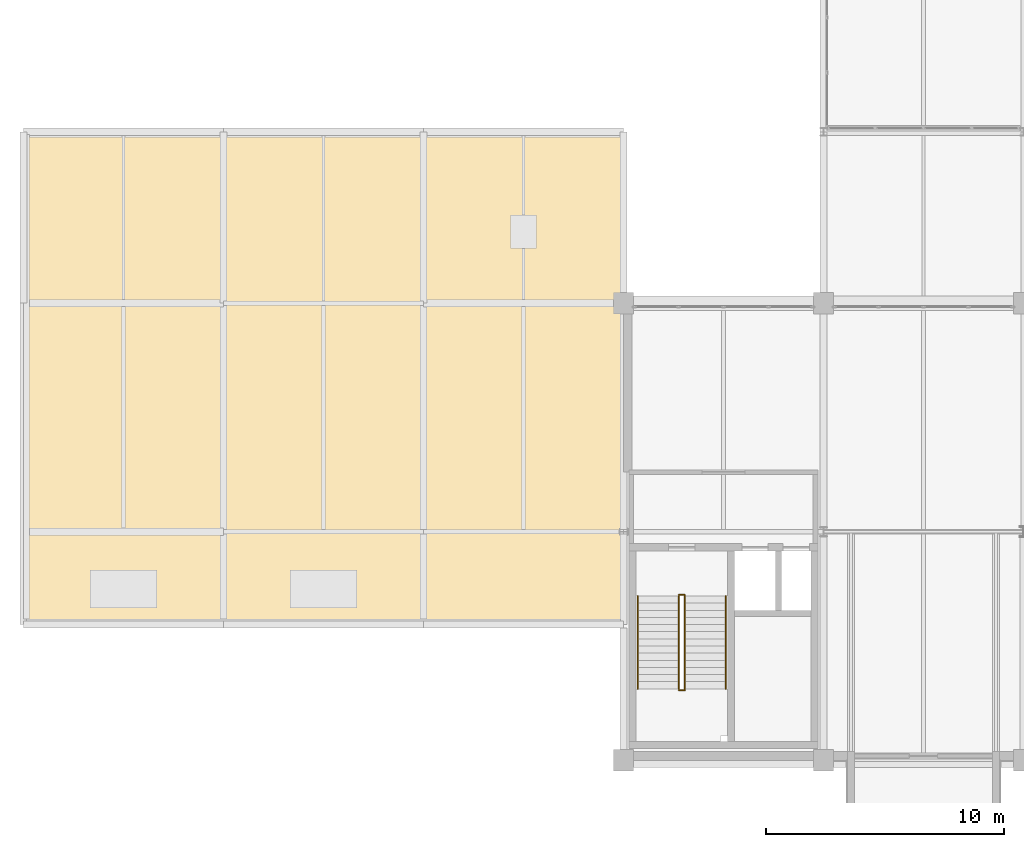
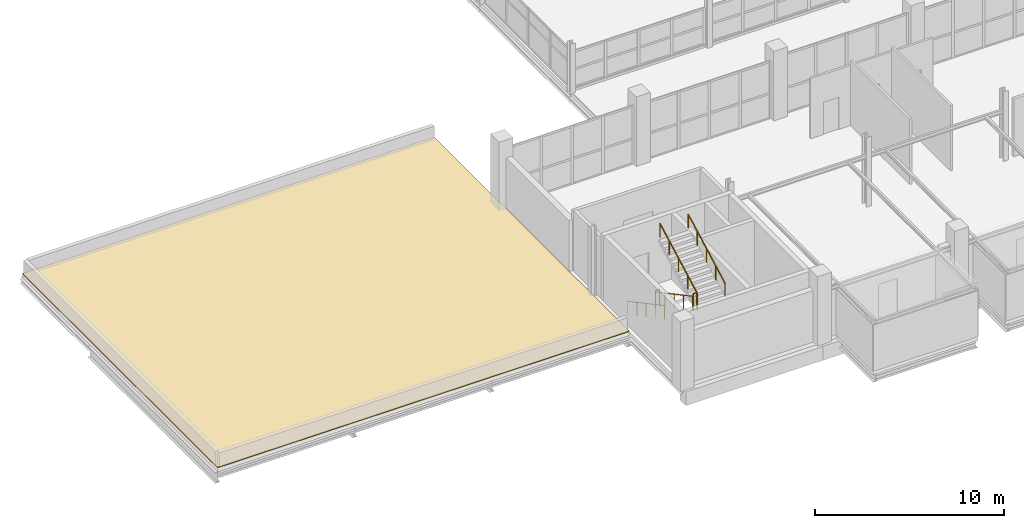
# One storey, part 98 of 103: 6 railings, 1 covering.
"""IFC4 building model written with IfcOpenShell, lengths in metres."""

from ifc_helpers import new_model, si_unit, direction, frame, origin, origin_2d, place, context, subcontext, project, spatial, polyline, circle, outline, extrude, material, layer, layer_set, type_object, element, save


model = new_model("IFC4")

# Units and contexts
model_context = context("Model", 3, precision=1e-05, world=origin(), true_north=direction((0.0, 1.0)))
body_context = subcontext(model_context, "Body", "Model", "MODEL_VIEW")
ifc_project = project(units=[si_unit("LENGTHUNIT", "METRE"), si_unit("AREAUNIT", "SQUARE_METRE"), si_unit("VOLUMEUNIT", "CUBIC_METRE"), si_unit("PLANEANGLEUNIT", "RADIAN"), si_unit("MASSUNIT", "GRAM", prefix="KILO")], contexts=[model_context])

# Site, building, storey
site_placement = place(None, origin())
site = spatial("IfcSite", under=ifc_project, at=site_placement, CompositionType="ELEMENT")
building_placement = place(site_placement, origin())
building = spatial("IfcBuilding", under=site, at=building_placement, Name="Veltarok Museum of Natural Sciences", CompositionType="ELEMENT")
storey_placement = place(building_placement, frame((0.0, 0.0, 21.89990234375)))
storey = spatial("IfcBuildingStorey", under=building, at=storey_placement, Name="L04", CompositionType="ELEMENT", Elevation=21.89990234375)

# Covering
ifc_material_1 = material(Name="EPDM waterproofing membrane")
ifc_layer = layer(ifc_material_1, 0.06005859375)
ifc_layer_set = layer_set([ifc_layer], Name="EPDM waterproofing membrane")
covering_type = type_object("IfcCoveringType", Name="EPDM Waterproofing and Acoustic Roof Membrane 60", PredefinedType="ROOFING", material=ifc_layer_set)
covering_placement = place(storey_placement, origin())
element("IfcCovering", 1, at=covering_placement, inside=storey, type_object=covering_type, Name="Roof Waterproofing RF-V4", PredefinedType="ROOFING", context=body_context, shape_type="SweptSolid", body=[
    extrude(outline(polyline([(6.39990234375, 5.699951171875), (6.39990234375, 26.39990234375), (31.60009765625, 26.39990234375), (31.60009765625, 5.699951171875), (6.39990234375, 5.699951171875)])), origin(), (0.0, 0.0, 1.0), 0.06005859375),
])

# Railings
ifc_material_2 = material(Name="Steel S355J2", Category="steel")
railing_type_1 = type_object("IfcRailingType", Name="Interior Atrium and Stairwell Guardrail 1100", PredefinedType="GUARDRAIL", material=ifc_material_2)
for number, where, name in (
    (2, (33.929931640625, 6.949951171875, 0.0), "Stairwell Floor Guard ST-01 L04"),
    (3, (33.929931640625, 2.93994140625, 2.25), "Landing Well Guard ST-01-L04-L1"),
):
    element("IfcRailing", number, at=place(storey_placement, frame(where)), inside=storey, type_object=railing_type_1, Name=name, PredefinedType="GUARDRAIL", context=body_context, shape_type="SweptSolid", body=[
        extrude(circle(Radius=0.02392578125, at=origin_2d()), frame((0.0, 0.0, 1.076171875), z_axis=(1.0, 0.0, 0.0), x_axis=(0.0, 1.0, 0.0)), (0.0, 0.0, 1.0), 0.239990234375),
        extrude(circle(Radius=0.02099609375, at=origin_2d()), origin(), (0.0, 0.0, 1.0), 1.052001953125),
        extrude(circle(Radius=0.02099609375, at=origin_2d()), frame((0.239990234375, 0.0, 0.0)), (0.0, 0.0, 1.0), 1.052001953125),
    ])
railing_type_2 = type_object("IfcRailingType", Name="Stair Flight Tubular Steel Handrail 900", PredefinedType="HANDRAIL", material=ifc_material_2)
for number, where, name in (
    (4, (32.199951171875, 6.89990234375, 0.160888671875), "Stair Handrail ST-01-L04-F1L"),
    (5, (33.919921875, 6.89990234375, 0.160888671875), "Stair Handrail ST-01-L04-F1R"),
):
    element("IfcRailing", number, at=place(storey_placement, frame(where)), inside=storey, type_object=railing_type_2, Name=name, PredefinedType="HANDRAIL", context=body_context, shape_type="SweptSolid", body=[
        extrude(circle(Radius=0.02392578125, at=origin_2d()), frame((0.0, 0.0, 0.8759765625), z_axis=(0.0, -0.881491454809, 0.472199973632), x_axis=(1.0, 0.0, 0.0)), (0.0, 0.0, 1.0), 4.42431640625),
        extrude(circle(Radius=0.02099609375, at=origin_2d()), origin(), (0.0, 0.0, 1.0), 0.851806640625),
        extrude(circle(Radius=0.02099609375, at=origin_2d()), frame((0.0, -0.97509765625, 0.522216796875)), (0.0, 0.0, 1.0), 0.851806640625),
        extrude(circle(Radius=0.02099609375, at=origin_2d()), frame((0.0, -1.949951171875, 1.04443359375)), (0.0, 0.0, 1.0), 0.851806640625),
        extrude(circle(Radius=0.02099609375, at=origin_2d()), frame((0.0, -2.9248046875, 1.56689453125)), (0.0, 0.0, 1.0), 0.851806640625),
        extrude(circle(Radius=0.02099609375, at=origin_2d()), frame((0.0, -3.89990234375, 2.089111328125)), (0.0, 0.0, 1.0), 0.851806640625),
    ])
for number, where, name in (
    (6, (34.179931640625, 3.0, 2.410888671875), "Stair Handrail ST-01-L04-F2L"),
    (7, (35.89990234375, 3.0, 2.410888671875), "Stair Handrail ST-01-L04-F2R"),
):
    element("IfcRailing", number, at=place(storey_placement, frame(where)), inside=storey, type_object=railing_type_2, Name=name, PredefinedType="HANDRAIL", context=body_context, shape_type="SweptSolid", body=[
        extrude(circle(Radius=0.02392578125, at=origin_2d()), frame((0.0, 0.0, 0.8759765625), z_axis=(0.0, 0.881491454809, 0.472199973632), x_axis=(-1.0, 0.0, 0.0)), (0.0, 0.0, 1.0), 4.42431640625),
        extrude(circle(Radius=0.02099609375, at=origin_2d()), origin(), (0.0, 0.0, 1.0), 0.851806640625),
        extrude(circle(Radius=0.02099609375, at=origin_2d()), frame((0.0, 0.97509765625, 0.522216796875)), (0.0, 0.0, 1.0), 0.851806640625),
        extrude(circle(Radius=0.02099609375, at=origin_2d()), frame((0.0, 1.949951171875, 1.04443359375)), (0.0, 0.0, 1.0), 0.851806640625),
        extrude(circle(Radius=0.02099609375, at=origin_2d()), frame((0.0, 2.9248046875, 1.56689453125)), (0.0, 0.0, 1.0), 0.851806640625),
        extrude(circle(Radius=0.02099609375, at=origin_2d()), frame((0.0, 3.89990234375, 2.089111328125)), (0.0, 0.0, 1.0), 0.851806640625),
    ])

save(model, "model.ifc")
